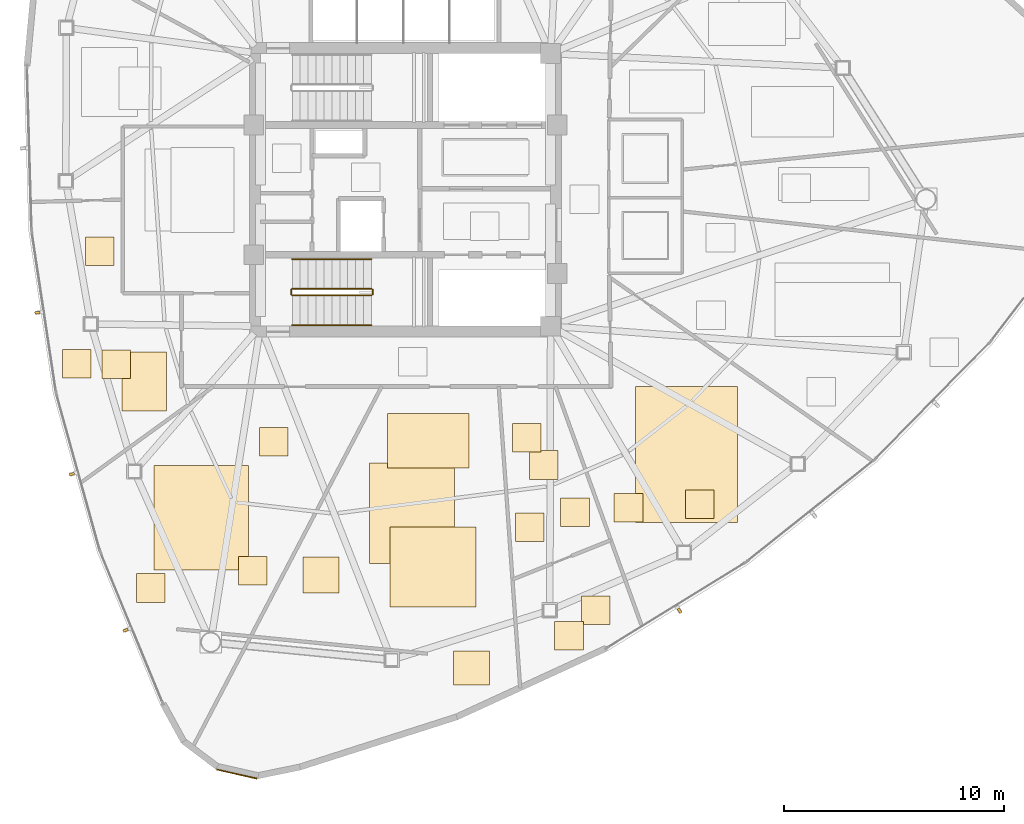
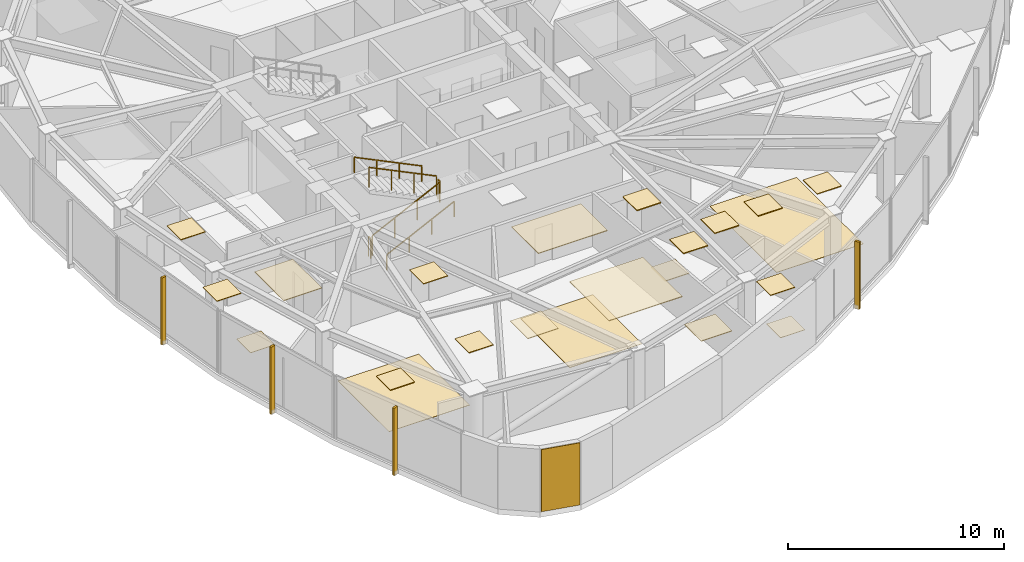
# One storey, part 15 of 18: 23 coverings, 6 railings, 4 shading devices.
"""IFC4 building model written with IfcOpenShell, lengths in metres."""

from ifc_helpers import new_model, si_unit, direction, frame, origin, origin_2d, place, context, subcontext, project, spatial, polyline, rectangle, outline, extrude, source, transform, mapped, material, layer, layer_set, type_object, type_shapes, element, save


model = new_model("IFC4")

# Units and contexts
model_context = context("Model", 3, precision=1e-05, world=origin(), true_north=direction((0.0, 1.0)))
body_context = subcontext(model_context, "Body", "Model", "MODEL_VIEW")
ifc_project = project(units=[si_unit("LENGTHUNIT", "METRE"), si_unit("AREAUNIT", "SQUARE_METRE"), si_unit("VOLUMEUNIT", "CUBIC_METRE"), si_unit("PLANEANGLEUNIT", "RADIAN"), si_unit("MASSUNIT", "GRAM", prefix="KILO")], contexts=[model_context])

# Site, building, storey
site_placement = place(None, origin())
site = spatial("IfcSite", under=ifc_project, at=site_placement, CompositionType="ELEMENT")
building_placement = place(site_placement, origin())
building = spatial("IfcBuilding", under=site, at=building_placement, Name="Tavelor Broadcast Tower", CompositionType="ELEMENT")
storey_placement = place(building_placement, frame((0.0, 0.0, 181.050048828125)))
storey = spatial("IfcBuildingStorey", under=building, at=storey_placement, Name="L43", CompositionType="ELEMENT", Elevation=181.050048828125)

# Covering
ifc_material_1 = material(Name="Copper-Bronze Anodized Aluminium", Category="aluminium")
ifc_layer_1 = layer(ifc_material_1, 0.050048828125)
ifc_layer_set_1 = layer_set([ifc_layer_1], Name="Copper-Bronze Anodized Aluminium")
covering_type_1 = type_object("IfcCoveringType", Name="Champagne-Bronze Corner Pier Metal Cladding 50 mm", PredefinedType="CLADDING", material=ifc_layer_set_1)
covering_1_placement = place(storey_placement, frame((42.32763671875, 18.427001953125, 0.02001953125), z_axis=(0.0, 0.0, 1.0), x_axis=(0.975342320509, -0.220697435022, 0.0)))
element("IfcCovering", 1, at=covering_1_placement, inside=storey, type_object=covering_type_1, Name="L43 Champagne-Bronze Corner Cladding 13", PredefinedType="CLADDING", context=body_context, shape_type="SweptSolid", body=[
    extrude(rectangle(XDim=1.87158203125, YDim=0.050048828125, at=origin_2d()), origin(), (0.0, 0.0, 1.0), 3.510009765625),
])

# Railings
ifc_material_2 = material(Name="Steel S355", Category="steel")
railing_type_1 = type_object("IfcRailingType", Name="Continuous Brushed Stainless Handrail 900 mm", PredefinedType="HANDRAIL", material=ifc_material_2)
railing_1_placement = place(storey_placement, frame((44.85009765625, 38.85009765625, 0.175048828125)))
element("IfcRailing", 2, at=railing_1_placement, inside=storey, type_object=railing_type_1, Name="L43 ST2 stair handrail 1", PredefinedType="HANDRAIL", context=body_context, shape_type="SweptSolid", body=[
    extrude(rectangle(XDim=0.048095703125, YDim=0.048095703125, at=origin_2d()), frame((0.0, 0.0, 0.8759765625), z_axis=(0.899360859046, 0.0, 0.437207096483), x_axis=(0.0, 1.0, 0.0)), (0.0, 0.0, 1.0), 4.002685546875),
    extrude(rectangle(XDim=0.0419921875, YDim=0.0419921875, at=origin_2d()), origin(), (0.0, 0.0, 1.0), 0.851806640625),
    extrude(rectangle(XDim=0.0419921875, YDim=0.0419921875, at=origin_2d()), frame((1.199951171875, 0.0, 0.583251953125)), (0.0, 0.0, 1.0), 0.851806640625),
    extrude(rectangle(XDim=0.0419921875, YDim=0.0419921875, at=origin_2d()), frame((2.39990234375, 0.0, 1.166748046875)), (0.0, 0.0, 1.0), 0.851806640625),
    extrude(rectangle(XDim=0.0419921875, YDim=0.0419921875, at=origin_2d()), frame((3.599853515625, 0.0, 1.75)), (0.0, 0.0, 1.0), 0.851806640625),
])
railing_2_placement = place(storey_placement, frame((48.449951171875, 41.85009765625, 2.099853515625)))
element("IfcRailing", 3, at=railing_2_placement, inside=storey, type_object=railing_type_1, Name="L43 ST2 stair handrail 2", PredefinedType="HANDRAIL", context=body_context, shape_type="SweptSolid", body=[
    extrude(rectangle(XDim=0.048095703125, YDim=0.048095703125, at=origin_2d()), frame((0.0, 0.0, 0.8759765625), z_axis=(-0.899360859046, 0.0, 0.437207096483), x_axis=(0.0, -1.0, 0.0)), (0.0, 0.0, 1.0), 4.002685546875),
    extrude(rectangle(XDim=0.0419921875, YDim=0.0419921875, at=origin_2d()), origin(), (0.0, 0.0, 1.0), 0.851806640625),
    extrude(rectangle(XDim=0.0419921875, YDim=0.0419921875, at=origin_2d()), frame((-1.199951171875, 0.0, 0.583251953125)), (0.0, 0.0, 1.0), 0.851806640625),
    extrude(rectangle(XDim=0.0419921875, YDim=0.0419921875, at=origin_2d()), frame((-2.39990234375, 0.0, 1.166748046875)), (0.0, 0.0, 1.0), 0.851806640625),
    extrude(rectangle(XDim=0.0419921875, YDim=0.0419921875, at=origin_2d()), frame((-3.599853515625, 0.0, 1.75)), (0.0, 0.0, 1.0), 0.851806640625),
])

# Coverings
ifc_material_3 = material(Name="Acoustic Nylon Carpet Tile")
ifc_layer_2 = layer(ifc_material_3, 0.02001953125)
ifc_layer_set_2 = layer_set([ifc_layer_2], Name="Acoustic Nylon Carpet Tile")
covering_type_2 = type_object("IfcCoveringType", Name="Heavy-Duty Acoustic Broadcast Carpet Tile 20 mm", PredefinedType="FLOORING", material=ifc_layer_set_2)
covering_2_placement = place(storey_placement, origin())
element("IfcCovering", 4, at=covering_2_placement, inside=storey, type_object=covering_type_2, Name="L43 Broadcast Floor Finish 0640", PredefinedType="FLOORING", context=body_context, shape_type="SweptSolid", body=[
    extrude(outline(polyline([(60.472412109375, 29.869140625), (65.097412109375, 29.869140625), (65.097412109375, 36.05029296875), (60.472412109375, 36.05029296875), (60.472412109375, 29.869140625)])), origin(), (0.0, 0.0, 1.0), 0.02001953125),
])
covering_3_placement = place(storey_placement, origin())
element("IfcCovering", 5, at=covering_3_placement, inside=storey, type_object=covering_type_2, Name="L43 Broadcast Floor Finish 0641", PredefinedType="FLOORING", context=body_context, shape_type="SweptSolid", body=[
    extrude(outline(polyline([(57.997802734375, 25.2255859375), (59.2978515625, 25.2255859375), (59.2978515625, 26.525634765625), (57.997802734375, 26.525634765625), (57.997802734375, 25.2255859375)])), origin(), (0.0, 0.0, 1.0), 0.02001953125),
])
covering_4_placement = place(storey_placement, origin())
element("IfcCovering", 6, at=covering_4_placement, inside=storey, type_object=covering_type_2, Name="L43 Broadcast Floor Finish 0642", PredefinedType="FLOORING", context=body_context, shape_type="SweptSolid", body=[
    extrude(outline(polyline([(48.365478515625, 28.01513671875), (52.219482421875, 28.01513671875), (52.219482421875, 32.57470703125), (48.365478515625, 32.57470703125), (48.365478515625, 28.01513671875)])), origin(), (0.0, 0.0, 1.0), 0.02001953125),
])
covering_5_placement = place(storey_placement, origin())
element("IfcCovering", 7, at=covering_5_placement, inside=storey, type_object=covering_type_2, Name="L43 Broadcast Floor Finish 0643", PredefinedType="FLOORING", context=body_context, shape_type="SweptSolid", body=[
    extrude(outline(polyline([(38.547119140625, 27.718505859375), (42.8564453125, 27.718505859375), (42.8564453125, 32.45361328125), (38.547119140625, 32.45361328125), (38.547119140625, 27.718505859375)])), origin(), (0.0, 0.0, 1.0), 0.02001953125),
])
covering_6_placement = place(storey_placement, origin())
element("IfcCovering", 8, at=covering_6_placement, inside=storey, type_object=covering_type_2, Name="L43 Broadcast Floor Finish 0644", PredefinedType="FLOORING", context=body_context, shape_type="SweptSolid", body=[
    extrude(outline(polyline([(36.18310546875, 36.4228515625), (37.483154296875, 36.4228515625), (37.483154296875, 37.722900390625), (36.18310546875, 37.722900390625), (36.18310546875, 36.4228515625)])), origin(), (0.0, 0.0, 1.0), 0.02001953125),
])
ifc_material_4 = material(Name="Acoustic Hardwood Studio Flooring", Category="wood")
ifc_layer_3 = layer(ifc_material_4, 0.034912109375)
ifc_layer_set_3 = layer_set([ifc_layer_3], Name="Acoustic Hardwood Studio Flooring")
covering_type_3 = type_object("IfcCoveringType", Name="Isolated Studio Acoustic Elastomeric Floor Finish 35 mm", PredefinedType="FLOORING", material=ifc_layer_set_3)
covering_7_placement = place(storey_placement, origin())
element("IfcCovering", 9, at=covering_7_placement, inside=storey, type_object=covering_type_3, Name="L43 Broadcast Floor Finish 0654", PredefinedType="FLOORING", context=body_context, shape_type="SweptSolid", body=[
    extrude(outline(polyline([(55.64111328125, 31.835205078125), (56.94091796875, 31.835205078125), (56.94091796875, 33.13525390625), (55.64111328125, 33.13525390625), (55.64111328125, 31.835205078125)])), origin(), (0.0, 0.0, 1.0), 0.034912109375),
])
ifc_material_5 = material(Name="Acoustic Perforated Timber Baffle", Category="wood")
ifc_layer_4 = layer(ifc_material_5, 0.054931640625)
ifc_layer_set_4 = layer_set([ifc_layer_4], Name="Acoustic Perforated Timber Baffle")
covering_type_4 = type_object("IfcCoveringType", Name="Micro-Perforated Acoustic Baffle Studio Ceiling 55 mm", PredefinedType="CEILING", material=ifc_layer_set_4)
covering_8_placement = place(storey_placement, frame((0.0, 0.0, 3.494873046875)))
element("IfcCovering", 10, at=covering_8_placement, inside=storey, type_object=covering_type_4, Name="L43 Suspended Acoustic Ceiling 1825", PredefinedType="CEILING", context=body_context, shape_type="SweptSolid", body=[
    extrude(outline(polyline([(54.99755859375, 28.997314453125), (56.297607421875, 28.997314453125), (56.297607421875, 30.297119140625), (54.99755859375, 30.297119140625), (54.99755859375, 28.997314453125)])), origin(), (0.0, 0.0, 1.0), 0.05517578125),
])
covering_9_placement = place(storey_placement, frame((0.0, 0.0, 3.494873046875)))
element("IfcCovering", 11, at=covering_9_placement, inside=storey, type_object=covering_type_4, Name="L43 Suspended Acoustic Ceiling 1826", PredefinedType="CEILING", context=body_context, shape_type="SweptSolid", body=[
    extrude(outline(polyline([(54.858154296875, 33.07470703125), (56.158203125, 33.07470703125), (56.158203125, 34.37451171875), (54.858154296875, 34.37451171875), (54.858154296875, 33.07470703125)])), origin(), (0.0, 0.0, 1.0), 0.05517578125),
])
covering_10_placement = place(storey_placement, frame((0.0, 0.0, 3.494873046875)))
element("IfcCovering", 12, at=covering_10_placement, inside=storey, type_object=covering_type_4, Name="L43 Suspended Acoustic Ceiling 1827", PredefinedType="CEILING", context=body_context, shape_type="SweptSolid", body=[
    extrude(outline(polyline([(57.0576171875, 29.6865234375), (58.357421875, 29.6865234375), (58.357421875, 30.986572265625), (57.0576171875, 30.986572265625), (57.0576171875, 29.6865234375)])), origin(), (0.0, 0.0, 1.0), 0.05517578125),
])

# Railings
railing_type_2 = type_object("IfcRailingType", Name="Stairwell Steel Safety Guardrail 1150 mm", PredefinedType="GUARDRAIL", material=ifc_material_2)
railing_3_placement = place(storey_placement, frame((44.85009765625, 40.199951171875, 0.175048828125)))
element("IfcRailing", 13, at=railing_3_placement, inside=storey, type_object=railing_type_2, Name="L43 ST2 stair guard 1", PredefinedType="GUARDRAIL", context=body_context, shape_type="SweptSolid", body=[
    extrude(rectangle(XDim=0.048095703125, YDim=0.048095703125, at=origin_2d()), frame((0.0, 0.0, 1.1259765625), z_axis=(0.899360859046, 0.0, 0.437207096483), x_axis=(0.0, 1.0, 0.0)), (0.0, 0.0, 1.0), 4.002685546875),
    extrude(rectangle(XDim=0.0419921875, YDim=0.0419921875, at=origin_2d()), origin(), (0.0, 0.0, 1.0), 1.101806640625),
    extrude(rectangle(XDim=0.0419921875, YDim=0.0419921875, at=origin_2d()), frame((1.199951171875, 0.0, 0.583251953125)), (0.0, 0.0, 1.0), 1.101806640625),
    extrude(rectangle(XDim=0.0419921875, YDim=0.0419921875, at=origin_2d()), frame((2.39990234375, 0.0, 1.166748046875)), (0.0, 0.0, 1.0), 1.101806640625),
    extrude(rectangle(XDim=0.0419921875, YDim=0.0419921875, at=origin_2d()), frame((3.599853515625, 0.0, 1.75)), (0.0, 0.0, 1.0), 1.101806640625),
])
railing_4_placement = place(storey_placement, frame((48.5, 40.25, 1.925048828125)))
element("IfcRailing", 14, at=railing_4_placement, inside=storey, type_object=railing_type_2, Name="L43 ST2 stair guard 2", PredefinedType="GUARDRAIL", context=body_context, shape_type="SweptSolid", body=[
    extrude(rectangle(XDim=0.048095703125, YDim=0.048095703125, at=origin_2d()), frame((0.0, 0.0, 1.1259765625), z_axis=(0.0, 1.0, 0.0), x_axis=(-1.0, 0.0, 0.0)), (0.0, 0.0, 1.0), 0.199951171875),
    extrude(rectangle(XDim=0.0419921875, YDim=0.0419921875, at=origin_2d()), origin(), (0.0, 0.0, 1.0), 1.101806640625),
    extrude(rectangle(XDim=0.0419921875, YDim=0.0419921875, at=origin_2d()), frame((0.0, 0.199951171875, 0.0)), (0.0, 0.0, 1.0), 1.101806640625),
])
railing_5_placement = place(storey_placement, frame((48.449951171875, 40.5, 2.099853515625)))
element("IfcRailing", 15, at=railing_5_placement, inside=storey, type_object=railing_type_2, Name="L43 ST2 stair guard 3", PredefinedType="GUARDRAIL", context=body_context, shape_type="SweptSolid", body=[
    extrude(rectangle(XDim=0.048095703125, YDim=0.048095703125, at=origin_2d()), frame((0.0, 0.0, 1.1259765625), z_axis=(-0.899360859046, 0.0, 0.437207096483), x_axis=(0.0, -1.0, 0.0)), (0.0, 0.0, 1.0), 4.002685546875),
    extrude(rectangle(XDim=0.0419921875, YDim=0.0419921875, at=origin_2d()), origin(), (0.0, 0.0, 1.0), 1.101806640625),
    extrude(rectangle(XDim=0.0419921875, YDim=0.0419921875, at=origin_2d()), frame((-1.199951171875, 0.0, 0.583251953125)), (0.0, 0.0, 1.0), 1.101806640625),
    extrude(rectangle(XDim=0.0419921875, YDim=0.0419921875, at=origin_2d()), frame((-2.39990234375, 0.0, 1.166748046875)), (0.0, 0.0, 1.0), 1.101806640625),
    extrude(rectangle(XDim=0.0419921875, YDim=0.0419921875, at=origin_2d()), frame((-3.599853515625, 0.0, 1.75)), (0.0, 0.0, 1.0), 1.101806640625),
])
railing_6_placement = place(storey_placement, frame((44.800048828125, 40.25, 0.0)))
element("IfcRailing", 16, at=railing_6_placement, inside=storey, type_object=railing_type_2, Name="L43 ST2 stair guard 4", PredefinedType="GUARDRAIL", context=body_context, shape_type="SweptSolid", body=[
    extrude(rectangle(XDim=0.048095703125, YDim=0.048095703125, at=origin_2d()), frame((0.0, 0.0, 1.1259765625), z_axis=(0.0, 1.0, 0.0), x_axis=(-1.0, 0.0, 0.0)), (0.0, 0.0, 1.0), 0.199951171875),
    extrude(rectangle(XDim=0.0419921875, YDim=0.0419921875, at=origin_2d()), origin(), (0.0, 0.0, 1.0), 1.101806640625),
    extrude(rectangle(XDim=0.0419921875, YDim=0.0419921875, at=origin_2d()), frame((0.0, 0.199951171875, 0.0)), (0.0, 0.0, 1.0), 1.101806640625),
])

# Coverings
ifc_material_6 = material(Name="Acoustic Mineral Fibre Tile")
ifc_layer_5 = layer(ifc_material_6, 0.0400390625)
ifc_layer_set_5 = layer_set([ifc_layer_5], Name="Acoustic Mineral Fibre Tile")
covering_type_5 = type_object("IfcCoveringType", Name="Suspended Acoustic Mineral-Fibre Office Ceiling 40 mm", PredefinedType="CEILING", material=ifc_layer_set_5)
covering_11_placement = place(storey_placement, frame((0.0, 0.0, 3.510009765625)))
element("IfcCovering", 17, at=covering_11_placement, inside=storey, type_object=covering_type_5, Name="L43 Suspended Acoustic Ceiling 1790", PredefinedType="CEILING", context=body_context, shape_type="SweptSolid", body=[
    extrude(outline(polyline([(59.4912109375, 29.8935546875), (60.791259765625, 29.8935546875), (60.791259765625, 31.193603515625), (59.4912109375, 31.193603515625), (59.4912109375, 29.8935546875)])), origin(), (0.0, 0.0, 1.0), 0.0400390625),
])
covering_12_placement = place(storey_placement, frame((0.0, 0.0, 3.510009765625)))
element("IfcCovering", 18, at=covering_12_placement, inside=storey, type_object=covering_type_5, Name="L43 Suspended Acoustic Ceiling 1791", PredefinedType="CEILING", context=body_context, shape_type="SweptSolid", body=[
    extrude(outline(polyline([(62.7353515625, 30.05615234375), (64.035400390625, 30.05615234375), (64.035400390625, 31.356201171875), (62.7353515625, 31.356201171875), (62.7353515625, 30.05615234375)])), origin(), (0.0, 0.0, 1.0), 0.0400390625),
])
covering_13_placement = place(storey_placement, frame((0.0, 0.0, 3.510009765625)))
element("IfcCovering", 19, at=covering_13_placement, inside=storey, type_object=covering_type_5, Name="L43 Suspended Acoustic Ceiling 1792", PredefinedType="CEILING", context=body_context, shape_type="SweptSolid", body=[
    extrude(outline(polyline([(56.78759765625, 24.064697265625), (58.08740234375, 24.064697265625), (58.08740234375, 25.36474609375), (56.78759765625, 25.36474609375), (56.78759765625, 24.064697265625)])), origin(), (0.0, 0.0, 1.0), 0.0400390625),
])
covering_14_placement = place(storey_placement, frame((0.0, 0.0, 3.510009765625)))
element("IfcCovering", 20, at=covering_14_placement, inside=storey, type_object=covering_type_5, Name="L43 Suspended Acoustic Ceiling 1793", PredefinedType="CEILING", context=body_context, shape_type="SweptSolid", body=[
    extrude(outline(polyline([(52.171142578125, 22.474609375), (53.823486328125, 22.474609375), (53.823486328125, 24.02490234375), (52.171142578125, 24.02490234375), (52.171142578125, 22.474609375)])), origin(), (0.0, 0.0, 1.0), 0.0400390625),
])
covering_15_placement = place(storey_placement, frame((0.0, 0.0, 3.510009765625)))
element("IfcCovering", 21, at=covering_15_placement, inside=storey, type_object=covering_type_5, Name="L43 Suspended Acoustic Ceiling 1794", PredefinedType="CEILING", context=body_context, shape_type="SweptSolid", body=[
    extrude(outline(polyline([(49.302490234375, 26.02001953125), (53.214599609375, 26.02001953125), (53.214599609375, 29.671142578125), (49.302490234375, 29.671142578125), (49.302490234375, 26.02001953125)])), origin(), (0.0, 0.0, 1.0), 0.0400390625),
])
covering_16_placement = place(storey_placement, frame((0.0, 0.0, 3.510009765625)))
element("IfcCovering", 22, at=covering_16_placement, inside=storey, type_object=covering_type_5, Name="L43 Suspended Acoustic Ceiling 1795", PredefinedType="CEILING", context=body_context, shape_type="SweptSolid", body=[
    extrude(outline(polyline([(45.334716796875, 26.657470703125), (46.97705078125, 26.657470703125), (46.97705078125, 28.29443359375), (45.334716796875, 28.29443359375), (45.334716796875, 26.657470703125)])), origin(), (0.0, 0.0, 1.0), 0.0400390625),
])
covering_17_placement = place(storey_placement, frame((0.0, 0.0, 3.510009765625)))
element("IfcCovering", 23, at=covering_17_placement, inside=storey, type_object=covering_type_5, Name="L43 Suspended Acoustic Ceiling 1796", PredefinedType="CEILING", context=body_context, shape_type="SweptSolid", body=[
    extrude(outline(polyline([(49.186279296875, 32.357177734375), (52.881591796875, 32.357177734375), (52.881591796875, 34.8310546875), (49.186279296875, 34.8310546875), (49.186279296875, 32.357177734375)])), origin(), (0.0, 0.0, 1.0), 0.0400390625),
])
covering_18_placement = place(storey_placement, frame((0.0, 0.0, 3.510009765625)))
element("IfcCovering", 24, at=covering_18_placement, inside=storey, type_object=covering_type_5, Name="L43 Suspended Acoustic Ceiling 1797", PredefinedType="CEILING", context=body_context, shape_type="SweptSolid", body=[
    extrude(outline(polyline([(37.759521484375, 26.240478515625), (39.0595703125, 26.240478515625), (39.0595703125, 27.54052734375), (37.759521484375, 27.54052734375), (37.759521484375, 26.240478515625)])), origin(), (0.0, 0.0, 1.0), 0.0400390625),
])
covering_19_placement = place(storey_placement, frame((0.0, 0.0, 3.510009765625)))
element("IfcCovering", 25, at=covering_19_placement, inside=storey, type_object=covering_type_5, Name="L43 Suspended Acoustic Ceiling 1798", PredefinedType="CEILING", context=body_context, shape_type="SweptSolid", body=[
    extrude(outline(polyline([(43.3642578125, 32.883544921875), (44.664306640625, 32.883544921875), (44.664306640625, 34.18359375), (43.3642578125, 34.18359375), (43.3642578125, 32.883544921875)])), origin(), (0.0, 0.0, 1.0), 0.0400390625),
])
covering_20_placement = place(storey_placement, frame((0.0, 0.0, 3.510009765625)))
element("IfcCovering", 26, at=covering_20_placement, inside=storey, type_object=covering_type_5, Name="L43 Suspended Acoustic Ceiling 1799", PredefinedType="CEILING", context=body_context, shape_type="SweptSolid", body=[
    extrude(outline(polyline([(42.408447265625, 27.022705078125), (43.70849609375, 27.022705078125), (43.70849609375, 28.322509765625), (42.408447265625, 28.322509765625), (42.408447265625, 27.022705078125)])), origin(), (0.0, 0.0, 1.0), 0.0400390625),
])
covering_21_placement = place(storey_placement, frame((0.0, 0.0, 3.510009765625)))
element("IfcCovering", 27, at=covering_21_placement, inside=storey, type_object=covering_type_5, Name="L43 Suspended Acoustic Ceiling 1800", PredefinedType="CEILING", context=body_context, shape_type="SweptSolid", body=[
    extrude(outline(polyline([(34.402099609375, 36.448974609375), (35.701904296875, 36.448974609375), (35.701904296875, 37.748779296875), (34.402099609375, 37.748779296875), (34.402099609375, 36.448974609375)])), origin(), (0.0, 0.0, 1.0), 0.0400390625),
])
covering_22_placement = place(storey_placement, frame((0.0, 0.0, 3.510009765625)))
element("IfcCovering", 28, at=covering_22_placement, inside=storey, type_object=covering_type_5, Name="L43 Suspended Acoustic Ceiling 1801", PredefinedType="CEILING", context=body_context, shape_type="SweptSolid", body=[
    extrude(outline(polyline([(35.438720703125, 41.561767578125), (36.738525390625, 41.561767578125), (36.738525390625, 42.86181640625), (35.438720703125, 42.86181640625), (35.438720703125, 41.561767578125)])), origin(), (0.0, 0.0, 1.0), 0.0400390625),
])
covering_23_placement = place(storey_placement, frame((0.0, 0.0, 3.510009765625)))
element("IfcCovering", 29, at=covering_23_placement, inside=storey, type_object=covering_type_5, Name="L43 Suspended Acoustic Ceiling 1802", PredefinedType="CEILING", context=body_context, shape_type="SweptSolid", body=[
    extrude(outline(polyline([(37.093994140625, 34.9453125), (39.1328125, 34.9453125), (39.1328125, 37.629150390625), (37.093994140625, 37.629150390625), (37.093994140625, 34.9453125)])), origin(), (0.0, 0.0, 1.0), 0.0400390625),
])

# Shading devices
ifc_material_7 = material(Name="Kiln-Fired Glazed Terracotta", Category="masonry")
shading_device_type = type_object("IfcShadingDeviceType", Name="Extruded Terracotta Baguette Sun-Screen 110x240", PredefinedType="JALOUSIE", material=ifc_material_7)
shared_shape = source(origin(), body_context, "Body", "SweptSolid", [
    extrude(rectangle(XDim=0.110107421875, YDim=0.239990234375, at=origin_2d()), origin(), (0.0, 0.0, 1.0), 3.7900390625),
])
type_shapes(shading_device_type, [shared_shape])
for number, where, z_axis, x_axis, name in (
    (30, (33.251953125, 39.4140625, -0.260009765625), (0.0, 0.0, 1.0), (0.149190193254, -0.988808518489, 0.0), "L43 Terracotta Baguette Fin 446"),
    (31, (34.81982421875, 32.0693359375, -0.260009765625), (0.0, 0.0, 1.0), (0.267742895148, -0.963490395436, 0.0), "L43 Terracotta Baguette Fin 447"),
    (32, (37.264892578125, 24.968505859375, -0.260009765625), (0.0, 0.0, 1.0), (0.382360914263, -0.92401305794, 0.0), "L43 Terracotta Baguette Fin 448"),
    (33, (62.46728515625, 25.852783203125, -0.260009765625), (0.0, 0.0, 1.0), (0.851452459024, 0.524431797303, 0.0), "L43 Terracotta Baguette Fin 449"),
):
    element("IfcShadingDevice", number, at=place(storey_placement, frame(where, z_axis=z_axis, x_axis=x_axis)), inside=storey, type_object=shading_device_type, Name=name, PredefinedType="JALOUSIE", context=body_context, shape_type="MappedRepresentation", body=[
        mapped(shared_shape, transform((0.0, 0.0, 0.0), scale=1.0)),
    ])

save(model, "model.ifc")
